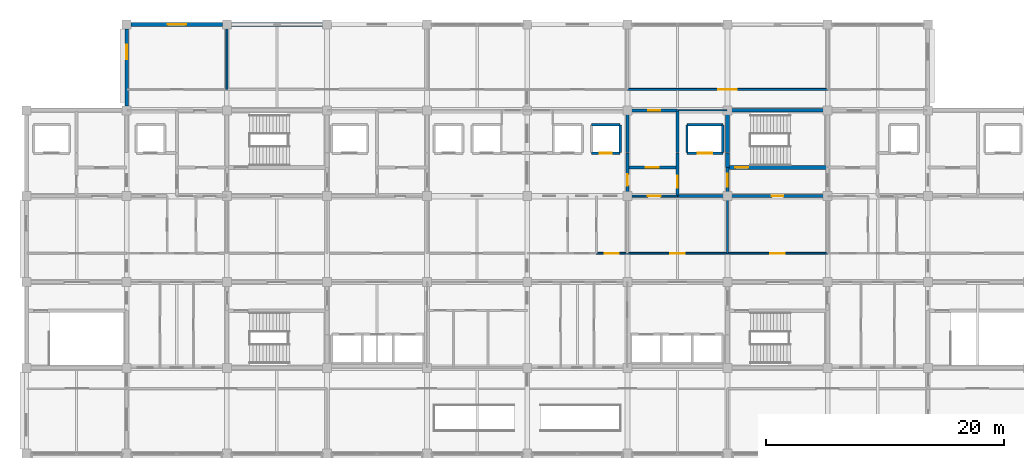
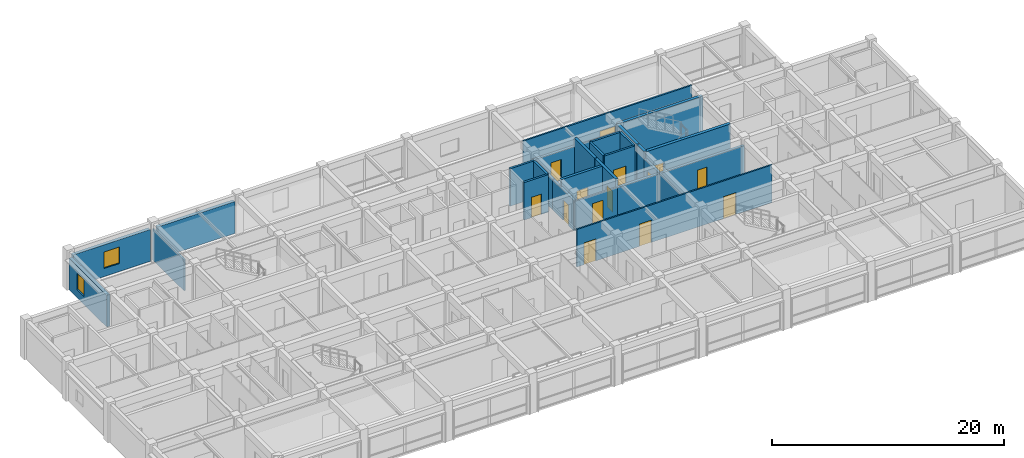
# One storey, part 17 of 23: 28 walls, 14 doors, 2 windows, 16 openings.
"""IFC4 building model written with IfcOpenShell, lengths in metres."""

from ifc_helpers import new_model, si_unit, direction, frame, frame_2d, origin, place, context, subcontext, project, spatial, rectangle, extrude, material, layer, layer_set, type_object, element, fill, save


model = new_model("IFC4")

# Units and contexts
model_context = context("Model", 3, precision=1e-05, world=origin(), true_north=direction((0.0, 1.0)))
body_context = subcontext(model_context, "Body", "Model", "MODEL_VIEW")
ifc_project = project(units=[si_unit("LENGTHUNIT", "METRE"), si_unit("AREAUNIT", "SQUARE_METRE"), si_unit("VOLUMEUNIT", "CUBIC_METRE"), si_unit("PLANEANGLEUNIT", "RADIAN"), si_unit("MASSUNIT", "GRAM", prefix="KILO")], contexts=[model_context])

# Site, building, storey
site_placement = place(None, origin())
site = spatial("IfcSite", under=ifc_project, at=site_placement, CompositionType="ELEMENT")
building_placement = place(site_placement, origin())
building = spatial("IfcBuilding", under=site, at=building_placement, Name="Chengyuan Square Courthouse", CompositionType="ELEMENT")
storey_placement = place(building_placement, frame((0.0, 0.0, 43.5)))
storey = spatial("IfcBuildingStorey", under=building, at=storey_placement, Name="L10", CompositionType="ELEMENT", Elevation=43.5)

# Wall, opening, window
ifc_material_1 = material(Name="Concrete C40", Category="concrete")
ifc_layer_1 = layer(ifc_material_1, 0.320068359375)
ifc_layer_set_1 = layer_set([ifc_layer_1], Name="Concrete C40")
wall_type_1 = type_object("IfcWallType", Name="WL-EW3", PredefinedType="STANDARD", material=ifc_layer_set_1)
wall_1_placement = place(storey_placement, frame((50.77001953125, 115.199951171875, 0.0), z_axis=(0.0, 0.0, 1.0), x_axis=(1.0, 0.0, 0.0)))
wall_1 = element("IfcWall", 1, at=wall_1_placement, inside=storey, type_object=wall_type_1, Name="Exterior Wall WL-L10-E434", PredefinedType="STANDARD", context=body_context, shape_type="SweptSolid", body=[
    extrude(rectangle(XDim=7.659912109375, YDim=0.320068359375, at=frame_2d((3.830078125, 0.0))), origin(), (0.0, 0.0, 1.0), 3.35009765625),
])
opening_1_placement = place(wall_1_placement, frame((3.054931640625, 0.0, 0.85009765625)))
opening_1 = element("IfcOpeningElement", 2, at=opening_1_placement, cuts=wall_1, Name="Opening WN-171", PredefinedType="OPENING", context=body_context, shape_type="SweptSolid", body=[
    extrude(rectangle(XDim=1.550048828125, YDim=1.739990234375, at=frame_2d((0.77490234375, 0.8701171875))), frame((0.0, 0.172119140625, 0.0), z_axis=(0.0, -1.0, 0.0), x_axis=(1.0, 0.0, 0.0)), (0.0, 0.0, 1.0), 0.343994140625),
])
ifc_material_2 = material(Name="Thermally Broken Aluminium Triple Low-E Window", Category="aluminium")
window_type_1 = type_object("IfcWindowType", Name="WT-28", PartitioningType="SINGLE_PANEL", PredefinedType="WINDOW", material=ifc_material_2)
window_1_placement = place(opening_1_placement, origin())
window_1 = element("IfcWindow", 3, at=window_1_placement, inside=storey, type_object=window_type_1, Name="Facade Window WN-171", OverallHeight=1.739990234375, OverallWidth=1.550048828125, PartitioningType="SINGLE_PANEL", PredefinedType="WINDOW", context=body_context, shape_type="SweptSolid", body=[
    extrude(rectangle(XDim=1.550048828125, YDim=1.739990234375, at=frame_2d((0.77490234375, 0.8701171875))), frame((0.0, 0.030029296875, 0.0), z_axis=(0.0, -1.0, 0.0), x_axis=(1.0, 0.0, 0.0)), (0.0, 0.0, 1.0), 0.06005859375),
])
fill(opening_1, window_1)

wall_2_placement = place(storey_placement, frame((50.39990234375, 108.3701171875, 0.0), z_axis=(0.0, 0.0, 1.0), x_axis=(0.0, 1.0, 0.0)))
wall_2 = element("IfcWall", 4, at=wall_2_placement, inside=storey, type_object=wall_type_1, Name="Exterior Wall WL-L10-E435", PredefinedType="STANDARD", context=body_context, shape_type="SweptSolid", body=[
    extrude(rectangle(XDim=6.4599609375, YDim=0.320068359375, at=frame_2d((3.22998046875, 0.0))), origin(), (0.0, 0.0, 1.0), 3.35009765625),
])
opening_2_placement = place(wall_2_placement, frame((3.929931640625, 0.0, 0.85009765625)))
opening_2 = element("IfcOpeningElement", 5, at=opening_2_placement, cuts=wall_2, Name="Opening WN-172", PredefinedType="OPENING", context=body_context, shape_type="SweptSolid", body=[
    extrude(rectangle(XDim=1.199951171875, YDim=1.739990234375, at=frame_2d((0.60009765625, 0.8701171875))), frame((0.0, 0.172119140625, 0.0), z_axis=(0.0, -1.0, 0.0), x_axis=(1.0, 0.0, 0.0)), (0.0, 0.0, 1.0), 0.343994140625),
])
window_type_2 = type_object("IfcWindowType", Name="WT-16", PartitioningType="SINGLE_PANEL", PredefinedType="WINDOW", material=ifc_material_2)
window_2_placement = place(opening_2_placement, origin())
window_2 = element("IfcWindow", 6, at=window_2_placement, inside=storey, type_object=window_type_2, Name="Facade Window WN-172", OverallHeight=1.739990234375, OverallWidth=1.199951171875, PartitioningType="SINGLE_PANEL", PredefinedType="WINDOW", context=body_context, shape_type="SweptSolid", body=[
    extrude(rectangle(XDim=1.199951171875, YDim=1.739990234375, at=frame_2d((0.60009765625, 0.8701171875))), frame((0.0, 0.030029296875, 0.0), z_axis=(0.0, -1.0, 0.0), x_axis=(1.0, 0.0, 0.0)), (0.0, 0.0, 1.0), 0.06005859375),
])
fill(opening_2, window_2)

# Wall
wall_3_placement = place(storey_placement, frame((59.169921875, 115.199951171875, 0.0), z_axis=(0.0, 0.0, 1.0), x_axis=(1.0, 0.0, 0.0)))
element("IfcWall", 7, at=wall_3_placement, inside=storey, type_object=wall_type_1, Name="Exterior Wall WL-L10-E436", PredefinedType="STANDARD", context=body_context, shape_type="SweptSolid", body=[
    extrude(rectangle(XDim=7.66015625, YDim=0.320068359375, at=frame_2d((3.830078125, 0.0))), origin(), (0.0, 0.0, 1.0), 3.35009765625),
])

# Wall, opening, door
ifc_layer_2 = layer(ifc_material_1, 0.25)
ifc_layer_set_2 = layer_set([ifc_layer_2], Name="Concrete C40")
wall_type_2 = type_object("IfcWallType", Name="WL-FW1", PredefinedType="STANDARD", material=ifc_layer_set_2)
wall_4_placement = place(storey_placement, frame((96.60009765625, 100.800048828125, 0.0), z_axis=(0.0, 0.0, 1.0), x_axis=(1.0, 0.0, 0.0)))
wall_4 = element("IfcWall", 8, at=wall_4_placement, inside=storey, type_object=wall_type_2, Name="Interior Wall WL-L10-I3346", PredefinedType="STANDARD", context=body_context, shape_type="SweptSolid", body=[
    extrude(rectangle(XDim=12.599853515625, YDim=0.25, at=frame_2d((6.2998046875, 0.0))), origin(), (0.0, 0.0, 1.0), 3.10009765625),
])
opening_3_placement = place(wall_4_placement, frame((7.925048828125, 0.0, 0.0)))
opening_3 = element("IfcOpeningElement", 9, at=opening_3_placement, cuts=wall_4, Name="Opening DR-2782", PredefinedType="OPENING", context=body_context, shape_type="SweptSolid", body=[
    extrude(rectangle(XDim=0.949951171875, YDim=2.14990234375, at=frame_2d((0.47509765625, 1.074951171875))), frame((0.0, 0.136962890625, 0.0), z_axis=(0.0, -1.0, 0.0), x_axis=(1.0, 0.0, 0.0)), (0.0, 0.0, 1.0), 0.27392578125),
])
ifc_material_3 = material(Name="Steel Q235B Fire Door", Category="steel")
door_type_1 = type_object("IfcDoorType", Name="DT-12", OperationType="NOTDEFINED", PredefinedType="DOOR", material=ifc_material_3)
door_1_placement = place(opening_3_placement, origin())
door_1 = element("IfcDoor", 10, at=door_1_placement, inside=storey, type_object=door_type_1, Name="Interior Door DR-2782", OperationType="SINGLE_SWING_RIGHT", OverallHeight=2.14990234375, OverallWidth=0.949951171875, PredefinedType="DOOR", context=body_context, shape_type="SweptSolid", body=[
    extrude(rectangle(XDim=0.949951171875, YDim=2.14990234375, at=frame_2d((0.47509765625, 1.074951171875))), frame((0.0, 0.02490234375, 0.0), z_axis=(0.0, -1.0, 0.0), x_axis=(1.0, 0.0, 0.0)), (0.0, 0.0, 1.0), 0.050048828125),
])
fill(opening_3, door_1)

wall_5_placement = place(storey_placement, frame((92.39990234375, 103.199951171875, 0.0), z_axis=(0.0, 0.0, 1.0), x_axis=(1.0, 0.0, 0.0)))
wall_5 = element("IfcWall", 11, at=wall_5_placement, inside=storey, type_object=wall_type_2, Name="Interior Wall WL-L10-I3355", PredefinedType="STANDARD", context=body_context, shape_type="SweptSolid", body=[
    extrude(rectangle(XDim=4.2001953125, YDim=0.25, at=frame_2d((2.10009765625, 0.0))), origin(), (0.0, 0.0, 1.0), 3.949951171875),
])
opening_4_placement = place(wall_5_placement, frame((1.550048828125, 0.0, 0.0)))
opening_4 = element("IfcOpeningElement", 12, at=opening_4_placement, cuts=wall_5, Name="Opening DR-2798", PredefinedType="OPENING", context=body_context, shape_type="SweptSolid", body=[
    extrude(rectangle(XDim=1.10009765625, YDim=2.199951171875, at=frame_2d((0.550048828125, 1.10009765625))), frame((0.0, 0.136962890625, 0.0), z_axis=(0.0, -1.0, 0.0), x_axis=(1.0, 0.0, 0.0)), (0.0, 0.0, 1.0), 0.27392578125),
])
door_type_2 = type_object("IfcDoorType", Name="DT-10", OperationType="NOTDEFINED", PredefinedType="DOOR", material=ifc_material_3)
door_2_placement = place(opening_4_placement, origin())
door_2 = element("IfcDoor", 13, at=door_2_placement, inside=storey, type_object=door_type_2, Name="Interior Door DR-2798", OperationType="SINGLE_SWING_RIGHT", OverallHeight=2.199951171875, OverallWidth=1.10009765625, PredefinedType="DOOR", context=body_context, shape_type="SweptSolid", body=[
    extrude(rectangle(XDim=1.10009765625, YDim=2.199951171875, at=frame_2d((0.550048828125, 1.10009765625))), frame((0.0, 0.02490234375, 0.0), z_axis=(0.0, -1.0, 0.0), x_axis=(1.0, 0.0, 0.0)), (0.0, 0.0, 1.0), 0.050048828125),
])
fill(opening_4, door_2)

wall_6_placement = place(storey_placement, frame((92.39990234375, 108.0, 0.0), z_axis=(0.0, 0.0, 1.0), x_axis=(1.0, 0.0, 0.0)))
wall_6 = element("IfcWall", 14, at=wall_6_placement, inside=storey, type_object=wall_type_2, Name="Interior Wall WL-L10-I3390", PredefinedType="STANDARD", context=body_context, shape_type="SweptSolid", body=[
    extrude(rectangle(XDim=4.2001953125, YDim=0.25, at=frame_2d((2.10009765625, 0.0))), origin(), (0.0, 0.0, 1.0), 3.10009765625),
])
opening_5_placement = place(wall_6_placement, frame((1.74755859375, 0.0, 0.0)))
opening_5 = element("IfcOpeningElement", 15, at=opening_5_placement, cuts=wall_6, Name="Opening DR-2802", PredefinedType="OPENING", context=body_context, shape_type="SweptSolid", body=[
    extrude(rectangle(XDim=1.0, YDim=2.199951171875, at=frame_2d((0.5, 1.10009765625))), frame((0.0, 0.136962890625, 0.0), z_axis=(0.0, -1.0, 0.0), x_axis=(1.0, 0.0, 0.0)), (0.0, 0.0, 1.0), 0.27392578125),
])
door_type_3 = type_object("IfcDoorType", Name="DT-11", OperationType="NOTDEFINED", PredefinedType="DOOR", material=ifc_material_3)
door_3_placement = place(opening_5_placement, origin())
door_3 = element("IfcDoor", 16, at=door_3_placement, inside=storey, type_object=door_type_3, Name="Interior Door DR-2802", OperationType="SINGLE_SWING_RIGHT", OverallHeight=2.199951171875, OverallWidth=1.0, PredefinedType="DOOR", context=body_context, shape_type="SweptSolid", body=[
    extrude(rectangle(XDim=1.0, YDim=2.199951171875, at=frame_2d((0.5, 1.10009765625))), frame((0.0, 0.02490234375, 0.0), z_axis=(0.0, -1.0, 0.0), x_axis=(1.0, 0.0, 0.0)), (0.0, 0.0, 1.0), 0.050048828125),
])
fill(opening_5, door_3)

wall_7_placement = place(storey_placement, frame((92.39990234375, 100.800048828125, 0.0), z_axis=(0.0, 0.0, 1.0), x_axis=(0.0, 1.0, 0.0)))
wall_7 = element("IfcWall", 17, at=wall_7_placement, inside=storey, type_object=wall_type_2, Name="Interior Wall WL-L10-I3465", PredefinedType="STANDARD", context=body_context, shape_type="SweptSolid", body=[
    extrude(rectangle(XDim=3.599853515625, YDim=0.25, at=frame_2d((1.7998046875, 0.0))), origin(), (0.0, 0.0, 1.0), 3.199951171875),
])
opening_6_placement = place(wall_7_placement, frame((0.87255859375, 0.0, 0.0)))
opening_6 = element("IfcOpeningElement", 18, at=opening_6_placement, cuts=wall_7, Name="Opening DR-2800", PredefinedType="OPENING", context=body_context, shape_type="SweptSolid", body=[
    extrude(rectangle(XDim=0.949951171875, YDim=2.14990234375, at=frame_2d((0.47509765625, 1.074951171875))), frame((0.0, 0.136962890625, 0.0), z_axis=(0.0, -1.0, 0.0), x_axis=(1.0, 0.0, 0.0)), (0.0, 0.0, 1.0), 0.27392578125),
])
door_4_placement = place(opening_6_placement, origin())
door_4 = element("IfcDoor", 19, at=door_4_placement, inside=storey, type_object=door_type_1, Name="Interior Door DR-2800", OperationType="SINGLE_SWING_RIGHT", OverallHeight=2.14990234375, OverallWidth=0.949951171875, PredefinedType="DOOR", context=body_context, shape_type="SweptSolid", body=[
    extrude(rectangle(XDim=0.949951171875, YDim=2.14990234375, at=frame_2d((0.47509765625, 1.074951171875))), frame((0.0, 0.02490234375, 0.0), z_axis=(0.0, -1.0, 0.0), x_axis=(1.0, 0.0, 0.0)), (0.0, 0.0, 1.0), 0.050048828125),
])
fill(opening_6, door_4)

# Wall
wall_8_placement = place(storey_placement, frame((92.39990234375, 104.449951171875, 0.0), z_axis=(0.0, 0.0, 1.0), x_axis=(0.0, 1.0, 0.0)))
element("IfcWall", 20, at=wall_8_placement, inside=storey, type_object=wall_type_2, Name="Interior Wall WL-L10-I3466", PredefinedType="STANDARD", context=body_context, shape_type="SweptSolid", body=[
    extrude(rectangle(XDim=3.5, YDim=0.25, at=frame_2d((1.75, 0.0))), origin(), (0.0, 0.0, 1.0), 3.199951171875),
])

# Wall, opening, door
wall_9_placement = place(storey_placement, frame((96.60009765625, 100.800048828125, 0.0), z_axis=(0.0, 0.0, 1.0), x_axis=(0.0, 1.0, 0.0)))
wall_9 = element("IfcWall", 21, at=wall_9_placement, inside=storey, type_object=wall_type_2, Name="Interior Wall WL-L10-I3470", PredefinedType="STANDARD", context=body_context, shape_type="SweptSolid", body=[
    extrude(rectangle(XDim=3.599853515625, YDim=0.25, at=frame_2d((1.7998046875, 0.0))), origin(), (0.0, 0.0, 1.0), 3.949951171875),
])
opening_7_placement = place(wall_9_placement, frame((0.699951171875, 0.0, 0.0)))
opening_7 = element("IfcOpeningElement", 22, at=opening_7_placement, cuts=wall_9, Name="Opening DR-2799", PredefinedType="OPENING", context=body_context, shape_type="SweptSolid", body=[
    extrude(rectangle(XDim=1.0, YDim=2.199951171875, at=frame_2d((0.5, 1.10009765625))), frame((0.0, 0.136962890625, 0.0), z_axis=(0.0, -1.0, 0.0), x_axis=(1.0, 0.0, 0.0)), (0.0, 0.0, 1.0), 0.27392578125),
])
door_5_placement = place(opening_7_placement, origin())
door_5 = element("IfcDoor", 23, at=door_5_placement, inside=storey, type_object=door_type_3, Name="Interior Door DR-2799", OperationType="SINGLE_SWING_LEFT", OverallHeight=2.199951171875, OverallWidth=1.0, PredefinedType="DOOR", context=body_context, shape_type="SweptSolid", body=[
    extrude(rectangle(XDim=1.0, YDim=2.199951171875, at=frame_2d((0.5, 1.10009765625))), frame((0.0, 0.02490234375, 0.0), z_axis=(0.0, -1.0, 0.0), x_axis=(1.0, 0.0, 0.0)), (0.0, 0.0, 1.0), 0.050048828125),
])
fill(opening_7, door_5)

# Wall
wall_10_placement = place(storey_placement, frame((96.60009765625, 104.449951171875, 0.0), z_axis=(0.0, 0.0, 1.0), x_axis=(0.0, 1.0, 0.0)))
element("IfcWall", 24, at=wall_10_placement, inside=storey, type_object=wall_type_2, Name="Interior Wall WL-L10-I3471", PredefinedType="STANDARD", context=body_context, shape_type="SweptSolid", body=[
    extrude(rectangle(XDim=3.5, YDim=0.25, at=frame_2d((1.75, 0.0))), origin(), (0.0, 0.0, 1.0), 3.949951171875),
])

# Wall, opening, door
wall_11_placement = place(storey_placement, frame((100.800048828125, 100.800048828125, 0.0), z_axis=(0.0, 0.0, 1.0), x_axis=(0.0, 1.0, 0.0)))
wall_11 = element("IfcWall", 25, at=wall_11_placement, inside=storey, type_object=wall_type_2, Name="Interior Wall WL-L10-I3481", PredefinedType="STANDARD", context=body_context, shape_type="SweptSolid", body=[
    extrude(rectangle(XDim=2.39990234375, YDim=0.25, at=frame_2d((1.199951171875, 0.0))), origin(), (0.0, 0.0, 1.0), 3.199951171875),
])
opening_8_placement = place(wall_11_placement, frame((0.797607421875, 0.0, 0.0)))
opening_8 = element("IfcOpeningElement", 26, at=opening_8_placement, cuts=wall_11, Name="Opening DR-2780", PredefinedType="OPENING", context=body_context, shape_type="SweptSolid", body=[
    extrude(rectangle(XDim=1.10009765625, YDim=2.199951171875, at=frame_2d((0.550048828125, 1.10009765625))), frame((0.0, 0.136962890625, 0.0), z_axis=(0.0, -1.0, 0.0), x_axis=(1.0, 0.0, 0.0)), (0.0, 0.0, 1.0), 0.27392578125),
])
door_6_placement = place(opening_8_placement, origin())
door_6 = element("IfcDoor", 27, at=door_6_placement, inside=storey, type_object=door_type_2, Name="Interior Door DR-2780", OperationType="SINGLE_SWING_RIGHT", OverallHeight=2.199951171875, OverallWidth=1.10009765625, PredefinedType="DOOR", context=body_context, shape_type="SweptSolid", body=[
    extrude(rectangle(XDim=1.10009765625, YDim=2.199951171875, at=frame_2d((0.550048828125, 1.10009765625))), frame((0.0, 0.02490234375, 0.0), z_axis=(0.0, -1.0, 0.0), x_axis=(1.0, 0.0, 0.0)), (0.0, 0.0, 1.0), 0.050048828125),
])
fill(opening_8, door_6)

ifc_material_4 = material(Name="Acoustic Timber-Lined Gypsum Partition", Category="wood")
ifc_layer_3 = layer(ifc_material_4, 0.159912109375)
ifc_layer_set_3 = layer_set([ifc_layer_3], Name="Acoustic Timber-Lined Gypsum Partition")
wall_type_3 = type_object("IfcWallType", Name="WL-PT2", PredefinedType="STANDARD", material=ifc_layer_set_3)
wall_12_placement = place(storey_placement, frame((92.39990234375, 109.75, 0.0), z_axis=(0.0, 0.0, 1.0), x_axis=(1.0, 0.0, 0.0)))
wall_12 = element("IfcWall", 28, at=wall_12_placement, inside=storey, type_object=wall_type_3, Name="Interior Wall WL-L10-I3398", PredefinedType="STANDARD", context=body_context, shape_type="SweptSolid", body=[
    extrude(rectangle(XDim=16.800048828125, YDim=0.159912109375, at=frame_2d((8.39990234375, 0.0))), origin(), (0.0, 0.0, 1.0), 4.0),
])
opening_9_placement = place(wall_12_placement, frame((7.625, 0.0, 0.0)))
opening_9 = element("IfcOpeningElement", 29, at=opening_9_placement, cuts=wall_12, Name="Opening DR-2896", PredefinedType="OPENING", context=body_context, shape_type="SweptSolid", body=[
    extrude(rectangle(XDim=1.550048828125, YDim=2.35009765625, at=frame_2d((0.77490234375, 1.175048828125))), frame((0.0, 0.092041015625, 0.0), z_axis=(0.0, -1.0, 0.0), x_axis=(1.0, 0.0, 0.0)), (0.0, 0.0, 1.0), 0.183837890625),
])
ifc_material_5 = material(Name="Acoustic Larch Veneer Double Door")
door_type_4 = type_object("IfcDoorType", Name="DT-23", OperationType="DOUBLE_DOOR_SINGLE_SWING", PredefinedType="DOOR", material=ifc_material_5)
door_7_placement = place(opening_9_placement, frame((1.550048828125, 0.0, 0.0), z_axis=(0.0, 0.0, 1.0), x_axis=(-1.0, 0.0, 0.0)))
door_7 = element("IfcDoor", 30, at=door_7_placement, inside=storey, type_object=door_type_4, Name="Interior Door DR-2896", OperationType="DOUBLE_DOOR_SINGLE_SWING", OverallHeight=2.35009765625, OverallWidth=1.550048828125, PredefinedType="DOOR", context=body_context, shape_type="SweptSolid", body=[
    extrude(rectangle(XDim=1.550048828125, YDim=2.35009765625, at=frame_2d((0.77490234375, 1.175048828125))), frame((0.0, 0.02490234375, 0.0), z_axis=(0.0, -1.0, 0.0), x_axis=(1.0, 0.0, 0.0)), (0.0, 0.0, 1.0), 0.050048828125),
])
fill(opening_9, door_7)

# Wall
wall_13_placement = place(storey_placement, frame((58.800048828125, 109.75, 0.0), z_axis=(0.0, 0.0, 1.0), x_axis=(0.0, 1.0, 0.0)))
element("IfcWall", 31, at=wall_13_placement, inside=storey, type_object=wall_type_3, Name="Interior Wall WL-L10-I3421", PredefinedType="STANDARD", context=body_context, shape_type="SweptSolid", body=[
    extrude(rectangle(XDim=5.409912109375, YDim=0.159912109375, at=frame_2d((2.705078125, 0.0))), origin(), (0.0, 0.0, 1.0), 3.25),
])

# Wall, openings, doors
ifc_material_6 = material(Name="Deliberation Room Sound-Insulated Partition")
ifc_layer_4 = layer(ifc_material_6, 0.14990234375)
ifc_layer_set_4 = layer_set([ifc_layer_4], Name="Deliberation Room Sound-Insulated Partition")
wall_type_4 = type_object("IfcWallType", Name="WL-PT3", PredefinedType="STANDARD", material=ifc_layer_set_4)
wall_14_placement = place(storey_placement, frame((89.800048828125, 96.0, 0.0), z_axis=(0.0, 0.0, 1.0), x_axis=(1.0, 0.0, 0.0)))
wall_14 = element("IfcWall", 32, at=wall_14_placement, inside=storey, type_object=wall_type_4, Name="Interior Wall WL-L10-I3334", PredefinedType="STANDARD", context=body_context, shape_type="SweptSolid", body=[
    extrude(rectangle(XDim=19.39990234375, YDim=0.14990234375, at=frame_2d((9.699951171875, 0.0))), origin(), (0.0, 0.0, 1.0), 3.949951171875),
])
opening_10_placement = place(wall_14_placement, frame((0.719970703125, 0.0, 0.0)))
opening_10 = element("IfcOpeningElement", 33, at=opening_10_placement, cuts=wall_14, Name="Opening DR-2854", PredefinedType="OPENING", context=body_context, shape_type="SweptSolid", body=[
    extrude(rectangle(XDim=1.159912109375, YDim=2.300048828125, at=frame_2d((0.580078125, 1.14990234375))), frame((0.0, 0.0869140625, 0.0), z_axis=(0.0, -1.0, 0.0), x_axis=(1.0, 0.0, 0.0)), (0.0, 0.0, 1.0), 0.173828125),
])
opening_11_placement = place(wall_14_placement, frame((6.199951171875, 0.0, 0.0)))
opening_11 = element("IfcOpeningElement", 34, at=opening_11_placement, cuts=wall_14, Name="Opening DR-2855", PredefinedType="OPENING", context=body_context, shape_type="SweptSolid", body=[
    extrude(rectangle(XDim=1.199951171875, YDim=2.35009765625, at=frame_2d((0.60009765625, 1.175048828125))), frame((0.0, 0.0869140625, 0.0), z_axis=(0.0, -1.0, 0.0), x_axis=(1.0, 0.0, 0.0)), (0.0, 0.0, 1.0), 0.173828125),
])
opening_12_placement = place(wall_14_placement, frame((14.580078125, 0.0, 0.0)))
opening_12 = element("IfcOpeningElement", 35, at=opening_12_placement, cuts=wall_14, Name="Opening DR-2856", PredefinedType="OPENING", context=body_context, shape_type="SweptSolid", body=[
    extrude(rectangle(XDim=1.239990234375, YDim=2.300048828125, at=frame_2d((0.6201171875, 1.14990234375))), frame((0.0, 0.0869140625, 0.0), z_axis=(0.0, -1.0, 0.0), x_axis=(1.0, 0.0, 0.0)), (0.0, 0.0, 1.0), 0.173828125),
])
ifc_material_7 = material(Name="Acoustic Solid-Core Timber Door", Category="wood")
door_type_5 = type_object("IfcDoorType", Name="DT-35", OperationType="NOTDEFINED", PredefinedType="DOOR", material=ifc_material_7)
door_8_placement = place(opening_10_placement, origin())
door_8 = element("IfcDoor", 36, at=door_8_placement, inside=storey, type_object=door_type_5, Name="Interior Door DR-2854", OperationType="SINGLE_SWING_RIGHT", OverallHeight=2.300048828125, OverallWidth=1.159912109375, PredefinedType="DOOR", context=body_context, shape_type="SweptSolid", body=[
    extrude(rectangle(XDim=1.159912109375, YDim=2.300048828125, at=frame_2d((0.580078125, 1.14990234375))), frame((0.0, 0.02490234375, 0.0), z_axis=(0.0, -1.0, 0.0), x_axis=(1.0, 0.0, 0.0)), (0.0, 0.0, 1.0), 0.050048828125),
])
fill(opening_10, door_8)
door_type_6 = type_object("IfcDoorType", Name="DT-36", OperationType="NOTDEFINED", PredefinedType="DOOR", material=ifc_material_7)
door_9_placement = place(opening_11_placement, origin())
door_9 = element("IfcDoor", 37, at=door_9_placement, inside=storey, type_object=door_type_6, Name="Interior Door DR-2855", OperationType="SINGLE_SWING_LEFT", OverallHeight=2.35009765625, OverallWidth=1.199951171875, PredefinedType="DOOR", context=body_context, shape_type="SweptSolid", body=[
    extrude(rectangle(XDim=1.199951171875, YDim=2.35009765625, at=frame_2d((0.60009765625, 1.175048828125))), frame((0.0, 0.02490234375, 0.0), z_axis=(0.0, -1.0, 0.0), x_axis=(1.0, 0.0, 0.0)), (0.0, 0.0, 1.0), 0.050048828125),
])
fill(opening_11, door_9)
door_type_7 = type_object("IfcDoorType", Name="DT-37", OperationType="NOTDEFINED", PredefinedType="DOOR", material=ifc_material_7)
door_10_placement = place(opening_12_placement, origin())
door_10 = element("IfcDoor", 38, at=door_10_placement, inside=storey, type_object=door_type_7, Name="Interior Door DR-2856", OperationType="SINGLE_SWING_RIGHT", OverallHeight=2.300048828125, OverallWidth=1.239990234375, PredefinedType="DOOR", context=body_context, shape_type="SweptSolid", body=[
    extrude(rectangle(XDim=1.239990234375, YDim=2.300048828125, at=frame_2d((0.6201171875, 1.14990234375))), frame((0.0, 0.02490234375, 0.0), z_axis=(0.0, -1.0, 0.0), x_axis=(1.0, 0.0, 0.0)), (0.0, 0.0, 1.0), 0.050048828125),
])
fill(opening_12, door_10)

# Wall, opening, door
wall_15_placement = place(storey_placement, frame((92.39990234375, 100.800048828125, 0.0), z_axis=(0.0, 0.0, 1.0), x_axis=(1.0, 0.0, 0.0)))
wall_15 = element("IfcWall", 39, at=wall_15_placement, inside=storey, type_object=wall_type_4, Name="Interior Wall WL-L10-I3345", PredefinedType="STANDARD", context=body_context, shape_type="SweptSolid", body=[
    extrude(rectangle(XDim=4.2001953125, YDim=0.14990234375, at=frame_2d((2.10009765625, 0.0))), origin(), (0.0, 0.0, 1.0), 3.10009765625),
])
opening_13_placement = place(wall_15_placement, frame((1.70751953125, 0.0, 0.0)))
opening_13 = element("IfcOpeningElement", 40, at=opening_13_placement, cuts=wall_15, Name="Opening DR-2801", PredefinedType="OPENING", context=body_context, shape_type="SweptSolid", body=[
    extrude(rectangle(XDim=1.080078125, YDim=2.25, at=frame_2d((0.5400390625, 1.125))), frame((0.0, 0.0869140625, 0.0), z_axis=(0.0, -1.0, 0.0), x_axis=(1.0, 0.0, 0.0)), (0.0, 0.0, 1.0), 0.173828125),
])
door_type_8 = type_object("IfcDoorType", Name="DT-33", OperationType="NOTDEFINED", PredefinedType="DOOR", material=ifc_material_7)
door_11_placement = place(opening_13_placement, origin())
door_11 = element("IfcDoor", 41, at=door_11_placement, inside=storey, type_object=door_type_8, Name="Interior Door DR-2801", OperationType="SINGLE_SWING_LEFT", OverallHeight=2.25, OverallWidth=1.080078125, PredefinedType="DOOR", context=body_context, shape_type="SweptSolid", body=[
    extrude(rectangle(XDim=1.080078125, YDim=2.25, at=frame_2d((0.5400390625, 1.125))), frame((0.0, 0.02490234375, 0.0), z_axis=(0.0, -1.0, 0.0), x_axis=(1.0, 0.0, 0.0)), (0.0, 0.0, 1.0), 0.050048828125),
])
fill(opening_13, door_11)

# Walls
wall_16_placement = place(storey_placement, frame((100.800048828125, 96.0, 0.0), z_axis=(0.0, 0.0, 1.0), x_axis=(0.0, 1.0, 0.0)))
element("IfcWall", 42, at=wall_16_placement, inside=storey, type_object=wall_type_4, Name="Interior Wall WL-L10-I3480", PredefinedType="STANDARD", context=body_context, shape_type="SweptSolid", body=[
    extrude(rectangle(XDim=4.800048828125, YDim=0.14990234375, at=frame_2d((2.39990234375, 0.0))), origin(), (0.0, 0.0, 1.0), 3.199951171875),
])
ifc_material_8 = material(Name="Gypsum Plasterboard Acoustic Stud Partition")
ifc_layer_5 = layer(ifc_material_8, 0.10009765625)
ifc_layer_set_5 = layer_set([ifc_layer_5], Name="Gypsum Plasterboard Acoustic Stud Partition")
wall_type_5 = type_object("IfcWallType", Name="WL-PT6", PredefinedType="STANDARD", material=ifc_layer_set_5)
wall_17_placement = place(storey_placement, frame((96.64990234375, 108.0, 0.0), z_axis=(0.0, 0.0, 1.0), x_axis=(1.0, 0.0, 0.0)))
element("IfcWall", 43, at=wall_17_placement, inside=storey, type_object=wall_type_5, Name="Interior Wall WL-L10-I3391", PredefinedType="STANDARD", context=body_context, shape_type="SweptSolid", body=[
    extrude(rectangle(XDim=4.10009765625, YDim=0.10009765625, at=frame_2d((2.050048828125, 0.0))), origin(), (0.0, 0.0, 1.0), 3.10009765625),
])

# Wall, opening, door
ifc_material_9 = material(Name="Reinforced Masonry Shaft Enclosure", Category="masonry")
ifc_layer_6 = layer(ifc_material_9, 0.199951171875)
ifc_layer_set_6 = layer_set([ifc_layer_6], Name="Reinforced Masonry Shaft Enclosure")
wall_type_6 = type_object("IfcWallType", Name="WL-SH1", PredefinedType="STANDARD", material=ifc_layer_set_6)
wall_18_placement = place(storey_placement, frame((89.39990234375, 104.39990234375, 0.0), z_axis=(0.0, 0.0, 1.0), x_axis=(1.0, 0.0, 0.0)))
wall_18 = element("IfcWall", 44, at=wall_18_placement, inside=storey, type_object=wall_type_6, Name="Interior Wall WL-L10-I3367", PredefinedType="STANDARD", context=body_context, shape_type="SweptSolid", body=[
    extrude(rectangle(XDim=2.400146484375, YDim=0.199951171875, at=frame_2d((1.2001953125, 0.0))), origin(), (0.0, 0.0, 1.0), 3.949951171875),
])
opening_14_placement = place(wall_18_placement, frame((0.699951171875, 0.0, 0.0)))
opening_14 = element("IfcOpeningElement", 45, at=opening_14_placement, cuts=wall_18, Name="Opening LD-172", PredefinedType="OPENING", context=body_context, shape_type="SweptSolid", body=[
    extrude(rectangle(XDim=1.0, YDim=2.14990234375, at=frame_2d((0.5, 1.074951171875))), frame((0.0, 0.112060546875, 0.0), z_axis=(0.0, -1.0, 0.0), x_axis=(1.0, 0.0, 0.0)), (0.0, 0.0, 1.0), 0.223876953125),
])
ifc_material_10 = material(Name="Stainless Steel S30408 Lift Landing Door", Category="steel")
door_type_9 = type_object("IfcDoorType", Name="DT-07", OperationType="DOUBLE_DOOR_SLIDING", PredefinedType="DOOR", material=ifc_material_10)
door_12_placement = place(opening_14_placement, origin())
door_12 = element("IfcDoor", 46, at=door_12_placement, inside=storey, type_object=door_type_9, Name="Lift Landing Door LF-J4 L10", OperationType="DOUBLE_DOOR_SLIDING", OverallHeight=2.14990234375, OverallWidth=1.0, PredefinedType="DOOR", context=body_context, shape_type="SweptSolid", body=[
    extrude(rectangle(XDim=1.0, YDim=2.14990234375, at=frame_2d((0.5, 1.074951171875))), frame((0.0, 0.02490234375, 0.0), z_axis=(0.0, -1.0, 0.0), x_axis=(1.0, 0.0, 0.0)), (0.0, 0.0, 1.0), 0.050048828125),
])
fill(opening_14, door_12)

wall_19_placement = place(storey_placement, frame((97.39990234375, 104.39990234375, 0.0), z_axis=(0.0, 0.0, 1.0), x_axis=(1.0, 0.0, 0.0)))
wall_19 = element("IfcWall", 47, at=wall_19_placement, inside=storey, type_object=wall_type_6, Name="Interior Wall WL-L10-I3368", PredefinedType="STANDARD", context=body_context, shape_type="SweptSolid", body=[
    extrude(rectangle(XDim=3.0, YDim=0.199951171875, at=frame_2d((1.5, 0.0))), origin(), (0.0, 0.0, 1.0), 3.949951171875),
])
opening_15_placement = place(wall_19_placement, frame((0.89990234375, 0.0, 0.0)))
opening_15 = element("IfcOpeningElement", 48, at=opening_15_placement, cuts=wall_19, Name="Opening LD-166", PredefinedType="OPENING", context=body_context, shape_type="SweptSolid", body=[
    extrude(rectangle(XDim=1.199951171875, YDim=2.14990234375, at=frame_2d((0.60009765625, 1.074951171875))), frame((0.0, 0.112060546875, 0.0), z_axis=(0.0, -1.0, 0.0), x_axis=(1.0, 0.0, 0.0)), (0.0, 0.0, 1.0), 0.223876953125),
])
door_type_10 = type_object("IfcDoorType", Name="DT-05", OperationType="DOUBLE_DOOR_SLIDING", PredefinedType="DOOR", material=ifc_material_10)
door_13_placement = place(opening_15_placement, origin())
door_13 = element("IfcDoor", 49, at=door_13_placement, inside=storey, type_object=door_type_10, Name="Lift Landing Door LF-F2 L10", OperationType="DOUBLE_DOOR_SLIDING", OverallHeight=2.14990234375, OverallWidth=1.199951171875, PredefinedType="DOOR", context=body_context, shape_type="SweptSolid", body=[
    extrude(rectangle(XDim=1.199951171875, YDim=2.14990234375, at=frame_2d((0.60009765625, 1.074951171875))), frame((0.0, 0.02490234375, 0.0), z_axis=(0.0, -1.0, 0.0), x_axis=(1.0, 0.0, 0.0)), (0.0, 0.0, 1.0), 0.050048828125),
])
fill(opening_15, door_13)

# Walls
wall_20_placement = place(storey_placement, frame((89.39990234375, 106.800048828125, 0.0), z_axis=(0.0, 0.0, 1.0), x_axis=(1.0, 0.0, 0.0)))
element("IfcWall", 50, at=wall_20_placement, inside=storey, type_object=wall_type_6, Name="Interior Wall WL-L10-I3378", PredefinedType="STANDARD", context=body_context, shape_type="SweptSolid", body=[
    extrude(rectangle(XDim=2.400146484375, YDim=0.199951171875, at=frame_2d((1.2001953125, 0.0))), origin(), (0.0, 0.0, 1.0), 3.949951171875),
])
wall_21_placement = place(storey_placement, frame((97.39990234375, 106.800048828125, 0.0), z_axis=(0.0, 0.0, 1.0), x_axis=(1.0, 0.0, 0.0)))
element("IfcWall", 51, at=wall_21_placement, inside=storey, type_object=wall_type_6, Name="Interior Wall WL-L10-I3379", PredefinedType="STANDARD", context=body_context, shape_type="SweptSolid", body=[
    extrude(rectangle(XDim=3.0, YDim=0.199951171875, at=frame_2d((1.5, 0.0))), origin(), (0.0, 0.0, 1.0), 3.949951171875),
])
for number, where, z_axis, x_axis, name in (
    (52, (91.800048828125, 104.449951171875, 0.0), (0.0, 0.0, 1.0), (0.0, 1.0, 0.0), "Interior Wall WL-L10-I3461"),
    (53, (97.39990234375, 104.449951171875, 0.0), (0.0, 0.0, 1.0), (0.0, 1.0, 0.0), "Interior Wall WL-L10-I3472"),
    (54, (100.39990234375, 104.449951171875, 0.0), (0.0, 0.0, 1.0), (0.0, 1.0, 0.0), "Interior Wall WL-L10-I3475"),
):
    element("IfcWall", number, at=place(storey_placement, frame(where, z_axis=z_axis, x_axis=x_axis)), inside=storey, type_object=wall_type_6, Name=name, PredefinedType="STANDARD", context=body_context, shape_type="SweptSolid", body=[
        extrude(rectangle(XDim=2.300048828125, YDim=0.199951171875, at=frame_2d((1.14990234375, 0.0))), origin(), (0.0, 0.0, 1.0), 3.949951171875),
    ])

# Wall, opening, door
ifc_layer_7 = layer(ifc_material_1, 0.300048828125)
ifc_layer_set_7 = layer_set([ifc_layer_7], Name="Concrete C40")
wall_type_7 = type_object("IfcWallType", Name="WL-SW2", PredefinedType="SHEAR", material=ifc_layer_set_7)
wall_22_placement = place(storey_placement, frame((100.800048828125, 103.199951171875, 0.0), z_axis=(0.0, 0.0, 1.0), x_axis=(1.0, 0.0, 0.0)))
wall_22 = element("IfcWall", 55, at=wall_22_placement, inside=storey, type_object=wall_type_7, Name="Interior Wall WL-L10-I3356", PredefinedType="SHEAR", context=body_context, shape_type="SweptSolid", body=[
    extrude(rectangle(XDim=8.39990234375, YDim=0.300048828125, at=frame_2d((4.199951171875, 0.0))), origin(), (0.0, 0.0, 1.0), 3.949951171875),
])
opening_16_placement = place(wall_22_placement, frame((0.64990234375, 0.0, 0.0)))
opening_16 = element("IfcOpeningElement", 56, at=opening_16_placement, cuts=wall_22, Name="Opening DR-2772", PredefinedType="OPENING", context=body_context, shape_type="SweptSolid", body=[
    extrude(rectangle(XDim=1.10009765625, YDim=2.199951171875, at=frame_2d((0.550048828125, 1.10009765625))), frame((0.0, 0.162109375, 0.0), z_axis=(0.0, -1.0, 0.0), x_axis=(1.0, 0.0, 0.0)), (0.0, 0.0, 1.0), 0.323974609375),
])
door_14_placement = place(opening_16_placement, origin())
door_14 = element("IfcDoor", 57, at=door_14_placement, inside=storey, type_object=door_type_2, Name="Smoke-Proof Stairwell Fire Door ST-2 DR-2772", OperationType="SINGLE_SWING_RIGHT", OverallHeight=2.199951171875, OverallWidth=1.10009765625, PredefinedType="DOOR", context=body_context, shape_type="SweptSolid", body=[
    extrude(rectangle(XDim=1.10009765625, YDim=2.199951171875, at=frame_2d((0.550048828125, 1.10009765625))), frame((0.0, 0.02490234375, 0.0), z_axis=(0.0, -1.0, 0.0), x_axis=(1.0, 0.0, 0.0)), (0.0, 0.0, 1.0), 0.050048828125),
])
fill(opening_16, door_14)

# Walls
wall_23_placement = place(storey_placement, frame((100.800048828125, 108.0, 0.0), z_axis=(0.0, 0.0, 1.0), x_axis=(1.0, 0.0, 0.0)))
element("IfcWall", 58, at=wall_23_placement, inside=storey, type_object=wall_type_7, Name="Interior Wall WL-L10-I3392", PredefinedType="SHEAR", context=body_context, shape_type="SweptSolid", body=[
    extrude(rectangle(XDim=8.39990234375, YDim=0.300048828125, at=frame_2d((4.199951171875, 0.0))), origin(), (0.0, 0.0, 1.0), 3.949951171875),
])
wall_24_placement = place(storey_placement, frame((100.800048828125, 103.199951171875, 0.0), z_axis=(0.0, 0.0, 1.0), x_axis=(0.0, 1.0, 0.0)))
element("IfcWall", 59, at=wall_24_placement, inside=storey, type_object=wall_type_7, Name="Interior Wall WL-L10-I3482", PredefinedType="SHEAR", context=body_context, shape_type="SweptSolid", body=[
    extrude(rectangle(XDim=1.199951171875, YDim=0.300048828125, at=frame_2d((0.60009765625, 0.0))), origin(), (0.0, 0.0, 1.0), 3.949951171875),
])
wall_25_placement = place(storey_placement, frame((100.800048828125, 104.449951171875, 0.0), z_axis=(0.0, 0.0, 1.0), x_axis=(0.0, 1.0, 0.0)))
element("IfcWall", 60, at=wall_25_placement, inside=storey, type_object=wall_type_7, Name="Interior Wall WL-L10-I3483", PredefinedType="SHEAR", context=body_context, shape_type="SweptSolid", body=[
    extrude(rectangle(XDim=3.5, YDim=0.300048828125, at=frame_2d((1.75, 0.0))), origin(), (0.0, 0.0, 1.0), 3.949951171875),
])

save(model, "model.ifc")
